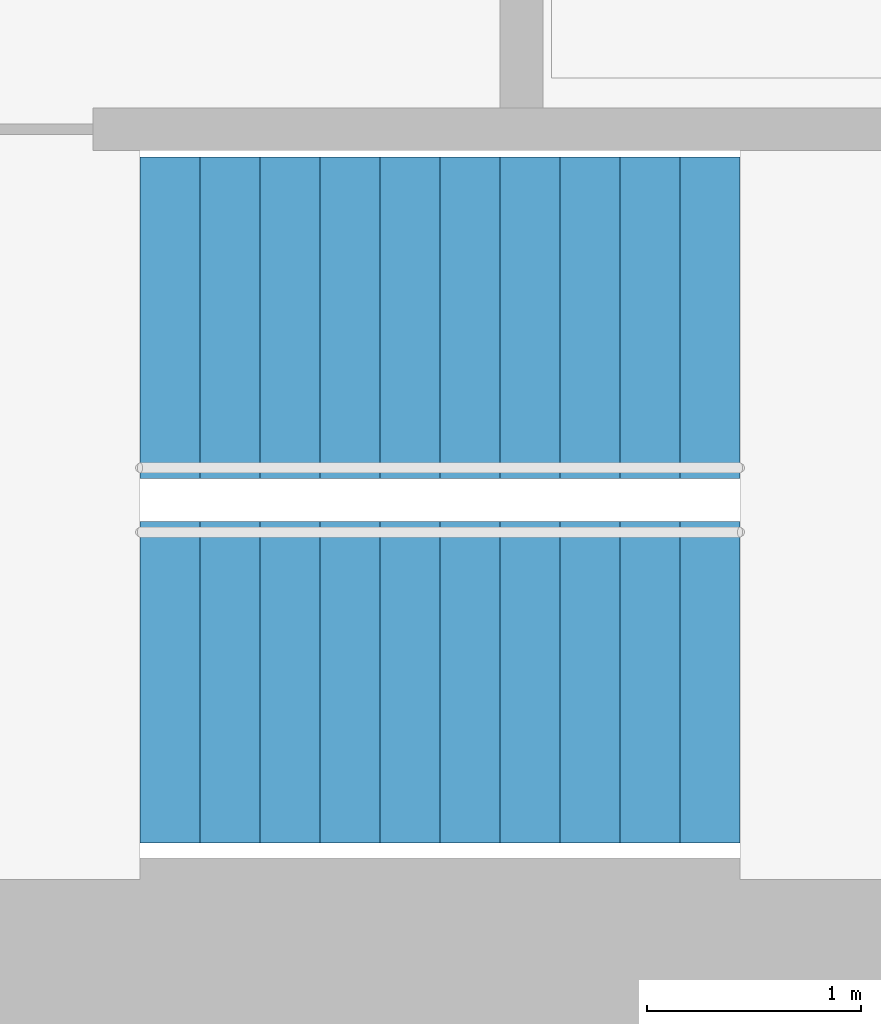
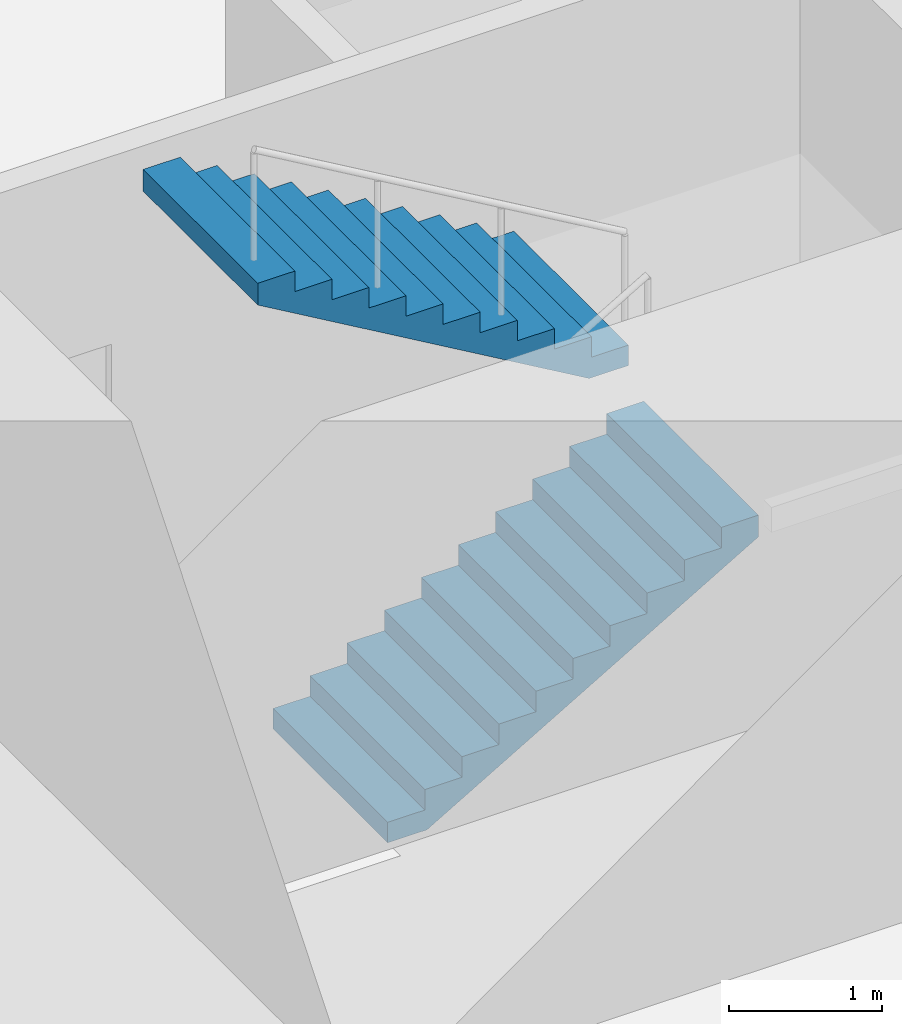
# One storey, part 13 of 15: 2 stair flights, 1 element without a shape of its own.
"""IFC4 building model written with IfcOpenShell, lengths in metres."""

from ifc_helpers import new_model, si_unit, direction, frame, origin, place, context, subcontext, project, spatial, triangles, material, type_object, element, aggregate, save


model = new_model("IFC4")

# Units and contexts
model_context = context("Model", 3, precision=1e-05, world=origin(), true_north=direction((0.0, 1.0)))
body_context = subcontext(model_context, "Body", "Model", "MODEL_VIEW")
ifc_project = project(units=[si_unit("LENGTHUNIT", "METRE"), si_unit("AREAUNIT", "SQUARE_METRE"), si_unit("VOLUMEUNIT", "CUBIC_METRE"), si_unit("PLANEANGLEUNIT", "RADIAN"), si_unit("MASSUNIT", "GRAM", prefix="KILO")], contexts=[model_context])

# Site, building, storey
site_placement = place(None, origin())
site = spatial("IfcSite", under=ifc_project, at=site_placement, CompositionType="ELEMENT")
building_placement = place(site_placement, origin())
building = spatial("IfcBuilding", under=site, at=building_placement, Name="Lantaw Convention Tower", CompositionType="ELEMENT")
storey_placement = place(building_placement, frame((0.0, 0.0, 98.199951171875)))
storey = spatial("IfcBuildingStorey", under=building, at=storey_placement, Name="L23", CompositionType="ELEMENT", Elevation=98.199951171875)

# Stair, stair flights
ifc_material = material(Name="Concrete C35/45", Category="concrete")
stair_type = type_object("IfcStairType", Name="Exit stair 1500 riser 163.64 in 2 flights", PredefinedType="HALF_TURN_STAIR", material=ifc_material)
stair_placement = place(storey_placement, origin())
stair = element("IfcStair", 1, at=stair_placement, inside=storey, type_object=stair_type, Name="Exit stair S1 L23", PredefinedType="HALF_TURN_STAIR")
stair_flight_type = type_object("IfcStairFlightType", Name="Stair flight 1500 riser 163.64", PredefinedType="STRAIGHT", material=ifc_material)
stair_flight_1_placement = place(storey_placement, frame((-10.580078125, -5.97998046875, 0.0), z_axis=(0.0, 0.0, 1.0), x_axis=(1.0, 0.0, 0.0)))
stair_flight_1 = element("IfcStairFlight", 2, at=stair_flight_1_placement, type_object=stair_flight_type, Name="S1 flight 1", NumberOfRisers=11, NumberOfTreads=10, PredefinedType="STRAIGHT", RiserHeight=0.163636364, TreadLength=0.28, context=body_context, shape_type="Tessellation", body=[
    triangles([(0.0, 0.75, 0.0), (0.0, 0.75, 0.163636364), (0.28, 0.75, 0.0), (0.28, 0.75, 0.163636364), (0.28, 0.75, 0.327272728), (0.2970904571225277, 0.75, 0.0), (0.2970904571225277, 0.75, 0.327272728), (0.56, 0.75, 0.1536484344906131), (0.56, 0.75, 0.327272728), (0.56, 0.75, 0.490909092), (0.8400000000000001, 0.75, 0.3172847984906131), (0.8400000000000001, 0.75, 0.490909092), (0.8400000000000001, 0.75, 0.654545456), (1.12, 0.75, 0.4809211624906131), (1.12, 0.75, 0.654545456), (1.12, 0.75, 0.8181818200000001), (1.4000000000000001, 0.75, 0.6445575264906132), (1.4000000000000001, 0.75, 0.8181818200000001), (1.4000000000000001, 0.75, 0.981818184), (1.6800000000000002, 0.75, 0.8081938904906131), (1.6800000000000002, 0.75, 0.981818184), (1.6800000000000002, 0.75, 1.145454548), (1.9600000000000002, 0.75, 0.9718302544906131), (1.9600000000000002, 0.75, 1.145454548), (1.9600000000000002, 0.75, 1.309090912), (2.24, 0.75, 1.135466618490613), (2.24, 0.75, 1.309090912), (2.24, 0.75, 1.472727276), (2.5200000000000005, 0.75, 1.2991029824906133), (2.5200000000000005, 0.75, 1.472727276), (2.5200000000000005, 0.75, 1.6363636400000001), (2.8000000000000003, 0.75, 1.462739346490613), (2.8000000000000003, 0.75, 1.6363636400000001), (0.0, -0.75, 0.0), (0.0, -0.75, 0.163636364), (0.28, -0.75, 0.0), (0.28, -0.75, 0.163636364), (0.28, -0.75, 0.327272728), (0.2970904571225277, -0.75, 0.0), (0.2970904571225277, -0.75, 0.327272728), (0.56, -0.75, 0.1536484344906131), (0.56, -0.75, 0.327272728), (0.56, -0.75, 0.490909092), (0.8400000000000001, -0.75, 0.3172847984906131), (0.8400000000000001, -0.75, 0.490909092), (0.8400000000000001, -0.75, 0.654545456), (1.12, -0.75, 0.4809211624906131), (1.12, -0.75, 0.654545456), (1.12, -0.75, 0.8181818200000001), (1.4000000000000001, -0.75, 0.6445575264906132), (1.4000000000000001, -0.75, 0.8181818200000001), (1.4000000000000001, -0.75, 0.981818184), (1.6800000000000002, -0.75, 0.8081938904906131), (1.6800000000000002, -0.75, 0.981818184), (1.6800000000000002, -0.75, 1.145454548), (1.9600000000000002, -0.75, 0.9718302544906131), (1.9600000000000002, -0.75, 1.145454548), (1.9600000000000002, -0.75, 1.309090912), (2.24, -0.75, 1.135466618490613), (2.24, -0.75, 1.309090912), (2.24, -0.75, 1.472727276), (2.5200000000000005, -0.75, 1.2991029824906133), (2.5200000000000005, -0.75, 1.472727276), (2.5200000000000005, -0.75, 1.6363636400000001), (2.8000000000000003, -0.75, 1.462739346490613), (2.8000000000000003, -0.75, 1.6363636400000001), (0.0, 0.15000000000000002, 0.163636364), (0.0, 0.15000000000000002, 0.0), (0.0, 0.0, 0.163636364), (0.0, 0.0, 0.0), (0.0, -0.15000000000000002, 0.163636364), (0.0, -0.15000000000000002, 0.0), (0.28, 0.15000000000000002, 0.327272728), (0.28, 0.15000000000000002, 0.163636364), (0.28, 0.0, 0.327272728), (0.28, 0.0, 0.163636364), (0.28, -0.15000000000000002, 0.327272728), (0.28, -0.15000000000000002, 0.163636364), (0.56, 0.15000000000000002, 0.490909092), (0.56, 0.15000000000000002, 0.327272728), (0.56, 0.0, 0.490909092), (0.56, 0.0, 0.327272728), (0.56, -0.15000000000000002, 0.490909092), (0.56, -0.15000000000000002, 0.327272728), (0.8400000000000001, 0.15000000000000002, 0.654545456), (0.8400000000000001, 0.15000000000000002, 0.490909092), (0.8400000000000001, 0.0, 0.654545456), (0.8400000000000001, 0.0, 0.490909092), (0.8400000000000001, -0.15000000000000002, 0.654545456), (0.8400000000000001, -0.15000000000000002, 0.490909092), (1.12, 0.15000000000000002, 0.8181818200000001), (1.12, 0.15000000000000002, 0.654545456), (1.12, 0.0, 0.8181818200000001), (1.12, 0.0, 0.654545456), (1.12, -0.15000000000000002, 0.8181818200000001), (1.12, -0.15000000000000002, 0.654545456), (1.4000000000000001, 0.15000000000000002, 0.981818184), (1.4000000000000001, 0.15000000000000002, 0.8181818200000001), (1.4000000000000001, 0.0, 0.981818184), (1.4000000000000001, 0.0, 0.8181818200000001), (1.4000000000000001, -0.15000000000000002, 0.981818184), (1.4000000000000001, -0.15000000000000002, 0.8181818200000001), (1.6800000000000002, 0.15000000000000002, 1.145454548), (1.6800000000000002, 0.15000000000000002, 0.981818184), (1.6800000000000002, 0.0, 1.145454548), (1.6800000000000002, 0.0, 0.981818184), (1.6800000000000002, -0.15000000000000002, 1.145454548), (1.6800000000000002, -0.15000000000000002, 0.981818184), (1.9600000000000002, 0.15000000000000002, 1.309090912), (1.9600000000000002, 0.15000000000000002, 1.145454548), (1.9600000000000002, 0.0, 1.309090912), (1.9600000000000002, 0.0, 1.145454548), (1.9600000000000002, -0.15000000000000002, 1.309090912), (1.9600000000000002, -0.15000000000000002, 1.145454548), (2.24, 0.15000000000000002, 1.472727276), (2.24, 0.15000000000000002, 1.309090912), (2.24, 0.0, 1.472727276), (2.24, 0.0, 1.309090912), (2.24, -0.15000000000000002, 1.472727276), (2.24, -0.15000000000000002, 1.309090912), (2.5200000000000005, 0.15000000000000002, 1.6363636400000001), (2.5200000000000005, 0.15000000000000002, 1.472727276), (2.5200000000000005, 0.0, 1.6363636400000001), (2.5200000000000005, 0.0, 1.472727276), (2.5200000000000005, -0.15000000000000002, 1.6363636400000001), (2.5200000000000005, -0.15000000000000002, 1.472727276), (0.2970904571225277, 0.15000000000000002, 0.327272728), (0.2970904571225277, 0.0, 0.327272728), (0.2970904571225277, -0.15000000000000002, 0.327272728), (2.8000000000000003, 0.15000000000000002, 1.6363636400000001), (2.8000000000000003, 0.0, 1.6363636400000001), (2.8000000000000003, -0.15000000000000002, 1.6363636400000001), (2.8000000000000003, 0.15000000000000002, 1.462739346490613), (2.8000000000000003, 0.0, 1.462739346490613), (2.8000000000000003, -0.15000000000000002, 1.462739346490613), (2.5200000000000005, 0.15000000000000002, 1.2991029824906133), (2.5200000000000005, 0.0, 1.2991029824906133), (2.5200000000000005, -0.15000000000000002, 1.2991029824906133), (2.24, 0.15000000000000002, 1.135466618490613), (2.24, 0.0, 1.135466618490613), (2.24, -0.15000000000000002, 1.135466618490613), (1.9600000000000002, 0.15000000000000002, 0.9718302544906131), (1.9600000000000002, 0.0, 0.9718302544906131), (1.9600000000000002, -0.15000000000000002, 0.9718302544906131), (1.6800000000000002, 0.15000000000000002, 0.8081938904906131), (1.6800000000000002, 0.0, 0.8081938904906131), (1.6800000000000002, -0.15000000000000002, 0.8081938904906131), (1.4000000000000001, 0.15000000000000002, 0.6445575264906132), (1.4000000000000001, 0.0, 0.6445575264906132), (1.4000000000000001, -0.15000000000000002, 0.6445575264906132), (1.12, 0.15000000000000002, 0.4809211624906131), (1.12, 0.0, 0.4809211624906131), (1.12, -0.15000000000000002, 0.4809211624906131), (0.8400000000000001, 0.15000000000000002, 0.3172847984906131), (0.8400000000000001, 0.0, 0.3172847984906131), (0.8400000000000001, -0.15000000000000002, 0.3172847984906131), (0.56, 0.15000000000000002, 0.1536484344906131), (0.56, 0.0, 0.1536484344906131), (0.56, -0.15000000000000002, 0.1536484344906131), (0.2970904571225277, 0.15000000000000002, 0.0), (0.2970904571225277, 0.0, 0.0), (0.2970904571225277, -0.15000000000000002, 0.0), (0.28, 0.15000000000000002, 0.0), (0.28, 0.0, 0.0), (0.28, -0.15000000000000002, 0.0)], [[1, 4, 3], [1, 2, 4], [3, 4, 6], [4, 7, 6], [4, 5, 7], [6, 9, 8], [6, 7, 9], [8, 9, 11], [9, 12, 11], [9, 10, 12], [11, 12, 14], [12, 15, 14], [12, 13, 15], [14, 15, 17], [15, 18, 17], [15, 16, 18], [17, 18, 20], [18, 21, 20], [18, 19, 21], [20, 21, 23], [21, 24, 23], [21, 22, 24], [23, 24, 26], [24, 27, 26], [24, 25, 27], [26, 27, 29], [27, 30, 29], [27, 28, 30], [29, 30, 32], [30, 33, 32], [30, 31, 33], [34, 36, 37], [34, 37, 35], [36, 39, 37], [37, 39, 40], [37, 40, 38], [39, 41, 42], [39, 42, 40], [41, 44, 42], [42, 44, 45], [42, 45, 43], [44, 47, 45], [45, 47, 48], [45, 48, 46], [47, 50, 48], [48, 50, 51], [48, 51, 49], [50, 53, 51], [51, 53, 54], [51, 54, 52], [53, 56, 54], [54, 56, 57], [54, 57, 55], [56, 59, 57], [57, 59, 60], [57, 60, 58], [59, 62, 60], [60, 62, 63], [60, 63, 61], [62, 65, 63], [63, 65, 66], [63, 66, 64], [1, 67, 2], [1, 68, 67], [68, 69, 67], [68, 70, 69], [70, 71, 69], [70, 72, 71], [72, 35, 71], [72, 34, 35], [4, 73, 5], [4, 74, 73], [74, 75, 73], [74, 76, 75], [76, 77, 75], [76, 78, 77], [78, 38, 77], [78, 37, 38], [9, 79, 10], [9, 80, 79], [80, 81, 79], [80, 82, 81], [82, 83, 81], [82, 84, 83], [84, 43, 83], [84, 42, 43], [12, 85, 13], [12, 86, 85], [86, 87, 85], [86, 88, 87], [88, 89, 87], [88, 90, 89], [90, 46, 89], [90, 45, 46], [15, 91, 16], [15, 92, 91], [92, 93, 91], [92, 94, 93], [94, 95, 93], [94, 96, 95], [96, 49, 95], [96, 48, 49], [18, 97, 19], [18, 98, 97], [98, 99, 97], [98, 100, 99], [100, 101, 99], [100, 102, 101], [102, 52, 101], [102, 51, 52], [21, 103, 22], [21, 104, 103], [104, 105, 103], [104, 106, 105], [106, 107, 105], [106, 108, 107], [108, 55, 107], [108, 54, 55], [24, 109, 25], [24, 110, 109], [110, 111, 109], [110, 112, 111], [112, 113, 111], [112, 114, 113], [114, 58, 113], [114, 57, 58], [27, 115, 28], [27, 116, 115], [116, 117, 115], [116, 118, 117], [118, 119, 117], [118, 120, 119], [120, 61, 119], [120, 60, 61], [30, 121, 31], [30, 122, 121], [122, 123, 121], [122, 124, 123], [124, 125, 123], [124, 126, 125], [126, 64, 125], [126, 63, 64], [2, 74, 4], [2, 67, 74], [67, 76, 74], [67, 69, 76], [69, 78, 76], [69, 71, 78], [71, 37, 78], [71, 35, 37], [5, 127, 7], [5, 73, 127], [73, 128, 127], [73, 75, 128], [75, 129, 128], [75, 77, 129], [77, 40, 129], [77, 38, 40], [7, 80, 9], [7, 127, 80], [127, 82, 80], [127, 128, 82], [128, 84, 82], [128, 129, 84], [129, 42, 84], [129, 40, 42], [10, 86, 12], [10, 79, 86], [79, 88, 86], [79, 81, 88], [81, 90, 88], [81, 83, 90], [83, 45, 90], [83, 43, 45], [13, 92, 15], [13, 85, 92], [85, 94, 92], [85, 87, 94], [87, 96, 94], [87, 89, 96], [89, 48, 96], [89, 46, 48], [16, 98, 18], [16, 91, 98], [91, 100, 98], [91, 93, 100], [93, 102, 100], [93, 95, 102], [95, 51, 102], [95, 49, 51], [19, 104, 21], [19, 97, 104], [97, 106, 104], [97, 99, 106], [99, 108, 106], [99, 101, 108], [101, 54, 108], [101, 52, 54], [22, 110, 24], [22, 103, 110], [103, 112, 110], [103, 105, 112], [105, 114, 112], [105, 107, 114], [107, 57, 114], [107, 55, 57], [25, 116, 27], [25, 109, 116], [109, 118, 116], [109, 111, 118], [111, 120, 118], [111, 113, 120], [113, 60, 120], [113, 58, 60], [28, 122, 30], [28, 115, 122], [115, 124, 122], [115, 117, 124], [117, 126, 124], [117, 119, 126], [119, 63, 126], [119, 61, 63], [31, 130, 33], [31, 121, 130], [121, 131, 130], [121, 123, 131], [123, 132, 131], [123, 125, 132], [125, 66, 132], [125, 64, 66], [33, 133, 32], [33, 130, 133], [130, 134, 133], [130, 131, 134], [131, 135, 134], [131, 132, 135], [132, 65, 135], [132, 66, 65], [32, 136, 29], [32, 133, 136], [133, 137, 136], [133, 134, 137], [134, 138, 137], [134, 135, 138], [135, 62, 138], [135, 65, 62], [29, 139, 26], [29, 136, 139], [136, 140, 139], [136, 137, 140], [137, 141, 140], [137, 138, 141], [138, 59, 141], [138, 62, 59], [26, 142, 23], [26, 139, 142], [139, 143, 142], [139, 140, 143], [140, 144, 143], [140, 141, 144], [141, 56, 144], [141, 59, 56], [23, 145, 20], [23, 142, 145], [142, 146, 145], [142, 143, 146], [143, 147, 146], [143, 144, 147], [144, 53, 147], [144, 56, 53], [20, 148, 17], [20, 145, 148], [145, 149, 148], [145, 146, 149], [146, 150, 149], [146, 147, 150], [147, 50, 150], [147, 53, 50], [17, 151, 14], [17, 148, 151], [148, 152, 151], [148, 149, 152], [149, 153, 152], [149, 150, 153], [150, 47, 153], [150, 50, 47], [14, 154, 11], [14, 151, 154], [151, 155, 154], [151, 152, 155], [152, 156, 155], [152, 153, 156], [153, 44, 156], [153, 47, 44], [11, 157, 8], [11, 154, 157], [154, 158, 157], [154, 155, 158], [155, 159, 158], [155, 156, 159], [156, 41, 159], [156, 44, 41], [8, 160, 6], [8, 157, 160], [157, 161, 160], [157, 158, 161], [158, 162, 161], [158, 159, 162], [159, 39, 162], [159, 41, 39], [6, 163, 3], [6, 160, 163], [160, 164, 163], [160, 161, 164], [161, 165, 164], [161, 162, 165], [162, 36, 165], [162, 39, 36], [3, 68, 1], [3, 163, 68], [163, 70, 68], [163, 164, 70], [164, 72, 70], [164, 165, 72], [165, 34, 72], [165, 36, 34]], closed=True),
])
stair_flight_2_placement = place(storey_placement, frame((-7.780029296875, -4.280029296875, 1.800048828125), z_axis=(0.0, 0.0, 1.0), x_axis=(-1.0, 0.0, 0.0)))
stair_flight_2 = element("IfcStairFlight", 3, at=stair_flight_2_placement, type_object=stair_flight_type, Name="S1 flight 2", NumberOfRisers=11, NumberOfTreads=10, PredefinedType="STRAIGHT", RiserHeight=0.163636364, TreadLength=0.28, context=body_context, shape_type="Tessellation", body=[
    triangles([(0.0, 0.75, 0.0), (0.0, 0.75, 0.163636364), (0.28, 0.75, 0.0), (0.28, 0.75, 0.163636364), (0.28, 0.75, 0.327272728), (0.2970904571225277, 0.75, 0.0), (0.2970904571225277, 0.75, 0.327272728), (0.56, 0.75, 0.1536484344906131), (0.56, 0.75, 0.327272728), (0.56, 0.75, 0.490909092), (0.8400000000000001, 0.75, 0.3172847984906131), (0.8400000000000001, 0.75, 0.490909092), (0.8400000000000001, 0.75, 0.654545456), (1.12, 0.75, 0.4809211624906131), (1.12, 0.75, 0.654545456), (1.12, 0.75, 0.8181818200000001), (1.4000000000000001, 0.75, 0.6445575264906132), (1.4000000000000001, 0.75, 0.8181818200000001), (1.4000000000000001, 0.75, 0.981818184), (1.6800000000000002, 0.75, 0.8081938904906131), (1.6800000000000002, 0.75, 0.981818184), (1.6800000000000002, 0.75, 1.145454548), (1.9600000000000002, 0.75, 0.9718302544906131), (1.9600000000000002, 0.75, 1.145454548), (1.9600000000000002, 0.75, 1.309090912), (2.24, 0.75, 1.135466618490613), (2.24, 0.75, 1.309090912), (2.24, 0.75, 1.472727276), (2.5200000000000005, 0.75, 1.2991029824906133), (2.5200000000000005, 0.75, 1.472727276), (2.5200000000000005, 0.75, 1.6363636400000001), (2.8000000000000003, 0.75, 1.462739346490613), (2.8000000000000003, 0.75, 1.6363636400000001), (0.0, -0.75, 0.0), (0.0, -0.75, 0.163636364), (0.28, -0.75, 0.0), (0.28, -0.75, 0.163636364), (0.28, -0.75, 0.327272728), (0.2970904571225277, -0.75, 0.0), (0.2970904571225277, -0.75, 0.327272728), (0.56, -0.75, 0.1536484344906131), (0.56, -0.75, 0.327272728), (0.56, -0.75, 0.490909092), (0.8400000000000001, -0.75, 0.3172847984906131), (0.8400000000000001, -0.75, 0.490909092), (0.8400000000000001, -0.75, 0.654545456), (1.12, -0.75, 0.4809211624906131), (1.12, -0.75, 0.654545456), (1.12, -0.75, 0.8181818200000001), (1.4000000000000001, -0.75, 0.6445575264906132), (1.4000000000000001, -0.75, 0.8181818200000001), (1.4000000000000001, -0.75, 0.981818184), (1.6800000000000002, -0.75, 0.8081938904906131), (1.6800000000000002, -0.75, 0.981818184), (1.6800000000000002, -0.75, 1.145454548), (1.9600000000000002, -0.75, 0.9718302544906131), (1.9600000000000002, -0.75, 1.145454548), (1.9600000000000002, -0.75, 1.309090912), (2.24, -0.75, 1.135466618490613), (2.24, -0.75, 1.309090912), (2.24, -0.75, 1.472727276), (2.5200000000000005, -0.75, 1.2991029824906133), (2.5200000000000005, -0.75, 1.472727276), (2.5200000000000005, -0.75, 1.6363636400000001), (2.8000000000000003, -0.75, 1.462739346490613), (2.8000000000000003, -0.75, 1.6363636400000001), (0.0, 0.15000000000000002, 0.163636364), (0.0, 0.15000000000000002, 0.0), (0.0, 0.0, 0.163636364), (0.0, 0.0, 0.0), (0.0, -0.15000000000000002, 0.163636364), (0.0, -0.15000000000000002, 0.0), (0.28, 0.15000000000000002, 0.327272728), (0.28, 0.15000000000000002, 0.163636364), (0.28, 0.0, 0.327272728), (0.28, 0.0, 0.163636364), (0.28, -0.15000000000000002, 0.327272728), (0.28, -0.15000000000000002, 0.163636364), (0.56, 0.15000000000000002, 0.490909092), (0.56, 0.15000000000000002, 0.327272728), (0.56, 0.0, 0.490909092), (0.56, 0.0, 0.327272728), (0.56, -0.15000000000000002, 0.490909092), (0.56, -0.15000000000000002, 0.327272728), (0.8400000000000001, 0.15000000000000002, 0.654545456), (0.8400000000000001, 0.15000000000000002, 0.490909092), (0.8400000000000001, 0.0, 0.654545456), (0.8400000000000001, 0.0, 0.490909092), (0.8400000000000001, -0.15000000000000002, 0.654545456), (0.8400000000000001, -0.15000000000000002, 0.490909092), (1.12, 0.15000000000000002, 0.8181818200000001), (1.12, 0.15000000000000002, 0.654545456), (1.12, 0.0, 0.8181818200000001), (1.12, 0.0, 0.654545456), (1.12, -0.15000000000000002, 0.8181818200000001), (1.12, -0.15000000000000002, 0.654545456), (1.4000000000000001, 0.15000000000000002, 0.981818184), (1.4000000000000001, 0.15000000000000002, 0.8181818200000001), (1.4000000000000001, 0.0, 0.981818184), (1.4000000000000001, 0.0, 0.8181818200000001), (1.4000000000000001, -0.15000000000000002, 0.981818184), (1.4000000000000001, -0.15000000000000002, 0.8181818200000001), (1.6800000000000002, 0.15000000000000002, 1.145454548), (1.6800000000000002, 0.15000000000000002, 0.981818184), (1.6800000000000002, 0.0, 1.145454548), (1.6800000000000002, 0.0, 0.981818184), (1.6800000000000002, -0.15000000000000002, 1.145454548), (1.6800000000000002, -0.15000000000000002, 0.981818184), (1.9600000000000002, 0.15000000000000002, 1.309090912), (1.9600000000000002, 0.15000000000000002, 1.145454548), (1.9600000000000002, 0.0, 1.309090912), (1.9600000000000002, 0.0, 1.145454548), (1.9600000000000002, -0.15000000000000002, 1.309090912), (1.9600000000000002, -0.15000000000000002, 1.145454548), (2.24, 0.15000000000000002, 1.472727276), (2.24, 0.15000000000000002, 1.309090912), (2.24, 0.0, 1.472727276), (2.24, 0.0, 1.309090912), (2.24, -0.15000000000000002, 1.472727276), (2.24, -0.15000000000000002, 1.309090912), (2.5200000000000005, 0.15000000000000002, 1.6363636400000001), (2.5200000000000005, 0.15000000000000002, 1.472727276), (2.5200000000000005, 0.0, 1.6363636400000001), (2.5200000000000005, 0.0, 1.472727276), (2.5200000000000005, -0.15000000000000002, 1.6363636400000001), (2.5200000000000005, -0.15000000000000002, 1.472727276), (0.2970904571225277, 0.15000000000000002, 0.327272728), (0.2970904571225277, 0.0, 0.327272728), (0.2970904571225277, -0.15000000000000002, 0.327272728), (2.8000000000000003, 0.15000000000000002, 1.6363636400000001), (2.8000000000000003, 0.0, 1.6363636400000001), (2.8000000000000003, -0.15000000000000002, 1.6363636400000001), (2.8000000000000003, 0.15000000000000002, 1.462739346490613), (2.8000000000000003, 0.0, 1.462739346490613), (2.8000000000000003, -0.15000000000000002, 1.462739346490613), (2.5200000000000005, 0.15000000000000002, 1.2991029824906133), (2.5200000000000005, 0.0, 1.2991029824906133), (2.5200000000000005, -0.15000000000000002, 1.2991029824906133), (2.24, 0.15000000000000002, 1.135466618490613), (2.24, 0.0, 1.135466618490613), (2.24, -0.15000000000000002, 1.135466618490613), (1.9600000000000002, 0.15000000000000002, 0.9718302544906131), (1.9600000000000002, 0.0, 0.9718302544906131), (1.9600000000000002, -0.15000000000000002, 0.9718302544906131), (1.6800000000000002, 0.15000000000000002, 0.8081938904906131), (1.6800000000000002, 0.0, 0.8081938904906131), (1.6800000000000002, -0.15000000000000002, 0.8081938904906131), (1.4000000000000001, 0.15000000000000002, 0.6445575264906132), (1.4000000000000001, 0.0, 0.6445575264906132), (1.4000000000000001, -0.15000000000000002, 0.6445575264906132), (1.12, 0.15000000000000002, 0.4809211624906131), (1.12, 0.0, 0.4809211624906131), (1.12, -0.15000000000000002, 0.4809211624906131), (0.8400000000000001, 0.15000000000000002, 0.3172847984906131), (0.8400000000000001, 0.0, 0.3172847984906131), (0.8400000000000001, -0.15000000000000002, 0.3172847984906131), (0.56, 0.15000000000000002, 0.1536484344906131), (0.56, 0.0, 0.1536484344906131), (0.56, -0.15000000000000002, 0.1536484344906131), (0.2970904571225277, 0.15000000000000002, 0.0), (0.2970904571225277, 0.0, 0.0), (0.2970904571225277, -0.15000000000000002, 0.0), (0.28, 0.15000000000000002, 0.0), (0.28, 0.0, 0.0), (0.28, -0.15000000000000002, 0.0)], [[1, 4, 3], [1, 2, 4], [3, 4, 6], [4, 7, 6], [4, 5, 7], [6, 9, 8], [6, 7, 9], [8, 9, 11], [9, 12, 11], [9, 10, 12], [11, 12, 14], [12, 15, 14], [12, 13, 15], [14, 15, 17], [15, 18, 17], [15, 16, 18], [17, 18, 20], [18, 21, 20], [18, 19, 21], [20, 21, 23], [21, 24, 23], [21, 22, 24], [23, 24, 26], [24, 27, 26], [24, 25, 27], [26, 27, 29], [27, 30, 29], [27, 28, 30], [29, 30, 32], [30, 33, 32], [30, 31, 33], [34, 36, 37], [34, 37, 35], [36, 39, 37], [37, 39, 40], [37, 40, 38], [39, 41, 42], [39, 42, 40], [41, 44, 42], [42, 44, 45], [42, 45, 43], [44, 47, 45], [45, 47, 48], [45, 48, 46], [47, 50, 48], [48, 50, 51], [48, 51, 49], [50, 53, 51], [51, 53, 54], [51, 54, 52], [53, 56, 54], [54, 56, 57], [54, 57, 55], [56, 59, 57], [57, 59, 60], [57, 60, 58], [59, 62, 60], [60, 62, 63], [60, 63, 61], [62, 65, 63], [63, 65, 66], [63, 66, 64], [1, 67, 2], [1, 68, 67], [68, 69, 67], [68, 70, 69], [70, 71, 69], [70, 72, 71], [72, 35, 71], [72, 34, 35], [4, 73, 5], [4, 74, 73], [74, 75, 73], [74, 76, 75], [76, 77, 75], [76, 78, 77], [78, 38, 77], [78, 37, 38], [9, 79, 10], [9, 80, 79], [80, 81, 79], [80, 82, 81], [82, 83, 81], [82, 84, 83], [84, 43, 83], [84, 42, 43], [12, 85, 13], [12, 86, 85], [86, 87, 85], [86, 88, 87], [88, 89, 87], [88, 90, 89], [90, 46, 89], [90, 45, 46], [15, 91, 16], [15, 92, 91], [92, 93, 91], [92, 94, 93], [94, 95, 93], [94, 96, 95], [96, 49, 95], [96, 48, 49], [18, 97, 19], [18, 98, 97], [98, 99, 97], [98, 100, 99], [100, 101, 99], [100, 102, 101], [102, 52, 101], [102, 51, 52], [21, 103, 22], [21, 104, 103], [104, 105, 103], [104, 106, 105], [106, 107, 105], [106, 108, 107], [108, 55, 107], [108, 54, 55], [24, 109, 25], [24, 110, 109], [110, 111, 109], [110, 112, 111], [112, 113, 111], [112, 114, 113], [114, 58, 113], [114, 57, 58], [27, 115, 28], [27, 116, 115], [116, 117, 115], [116, 118, 117], [118, 119, 117], [118, 120, 119], [120, 61, 119], [120, 60, 61], [30, 121, 31], [30, 122, 121], [122, 123, 121], [122, 124, 123], [124, 125, 123], [124, 126, 125], [126, 64, 125], [126, 63, 64], [2, 74, 4], [2, 67, 74], [67, 76, 74], [67, 69, 76], [69, 78, 76], [69, 71, 78], [71, 37, 78], [71, 35, 37], [5, 127, 7], [5, 73, 127], [73, 128, 127], [73, 75, 128], [75, 129, 128], [75, 77, 129], [77, 40, 129], [77, 38, 40], [7, 80, 9], [7, 127, 80], [127, 82, 80], [127, 128, 82], [128, 84, 82], [128, 129, 84], [129, 42, 84], [129, 40, 42], [10, 86, 12], [10, 79, 86], [79, 88, 86], [79, 81, 88], [81, 90, 88], [81, 83, 90], [83, 45, 90], [83, 43, 45], [13, 92, 15], [13, 85, 92], [85, 94, 92], [85, 87, 94], [87, 96, 94], [87, 89, 96], [89, 48, 96], [89, 46, 48], [16, 98, 18], [16, 91, 98], [91, 100, 98], [91, 93, 100], [93, 102, 100], [93, 95, 102], [95, 51, 102], [95, 49, 51], [19, 104, 21], [19, 97, 104], [97, 106, 104], [97, 99, 106], [99, 108, 106], [99, 101, 108], [101, 54, 108], [101, 52, 54], [22, 110, 24], [22, 103, 110], [103, 112, 110], [103, 105, 112], [105, 114, 112], [105, 107, 114], [107, 57, 114], [107, 55, 57], [25, 116, 27], [25, 109, 116], [109, 118, 116], [109, 111, 118], [111, 120, 118], [111, 113, 120], [113, 60, 120], [113, 58, 60], [28, 122, 30], [28, 115, 122], [115, 124, 122], [115, 117, 124], [117, 126, 124], [117, 119, 126], [119, 63, 126], [119, 61, 63], [31, 130, 33], [31, 121, 130], [121, 131, 130], [121, 123, 131], [123, 132, 131], [123, 125, 132], [125, 66, 132], [125, 64, 66], [33, 133, 32], [33, 130, 133], [130, 134, 133], [130, 131, 134], [131, 135, 134], [131, 132, 135], [132, 65, 135], [132, 66, 65], [32, 136, 29], [32, 133, 136], [133, 137, 136], [133, 134, 137], [134, 138, 137], [134, 135, 138], [135, 62, 138], [135, 65, 62], [29, 139, 26], [29, 136, 139], [136, 140, 139], [136, 137, 140], [137, 141, 140], [137, 138, 141], [138, 59, 141], [138, 62, 59], [26, 142, 23], [26, 139, 142], [139, 143, 142], [139, 140, 143], [140, 144, 143], [140, 141, 144], [141, 56, 144], [141, 59, 56], [23, 145, 20], [23, 142, 145], [142, 146, 145], [142, 143, 146], [143, 147, 146], [143, 144, 147], [144, 53, 147], [144, 56, 53], [20, 148, 17], [20, 145, 148], [145, 149, 148], [145, 146, 149], [146, 150, 149], [146, 147, 150], [147, 50, 150], [147, 53, 50], [17, 151, 14], [17, 148, 151], [148, 152, 151], [148, 149, 152], [149, 153, 152], [149, 150, 153], [150, 47, 153], [150, 50, 47], [14, 154, 11], [14, 151, 154], [151, 155, 154], [151, 152, 155], [152, 156, 155], [152, 153, 156], [153, 44, 156], [153, 47, 44], [11, 157, 8], [11, 154, 157], [154, 158, 157], [154, 155, 158], [155, 159, 158], [155, 156, 159], [156, 41, 159], [156, 44, 41], [8, 160, 6], [8, 157, 160], [157, 161, 160], [157, 158, 161], [158, 162, 161], [158, 159, 162], [159, 39, 162], [159, 41, 39], [6, 163, 3], [6, 160, 163], [160, 164, 163], [160, 161, 164], [161, 165, 164], [161, 162, 165], [162, 36, 165], [162, 39, 36], [3, 68, 1], [3, 163, 68], [163, 70, 68], [163, 164, 70], [164, 72, 70], [164, 165, 72], [165, 34, 72], [165, 36, 34]], closed=True),
])
aggregate(stair, [stair_flight_1, stair_flight_2])

save(model, "model.ifc")
